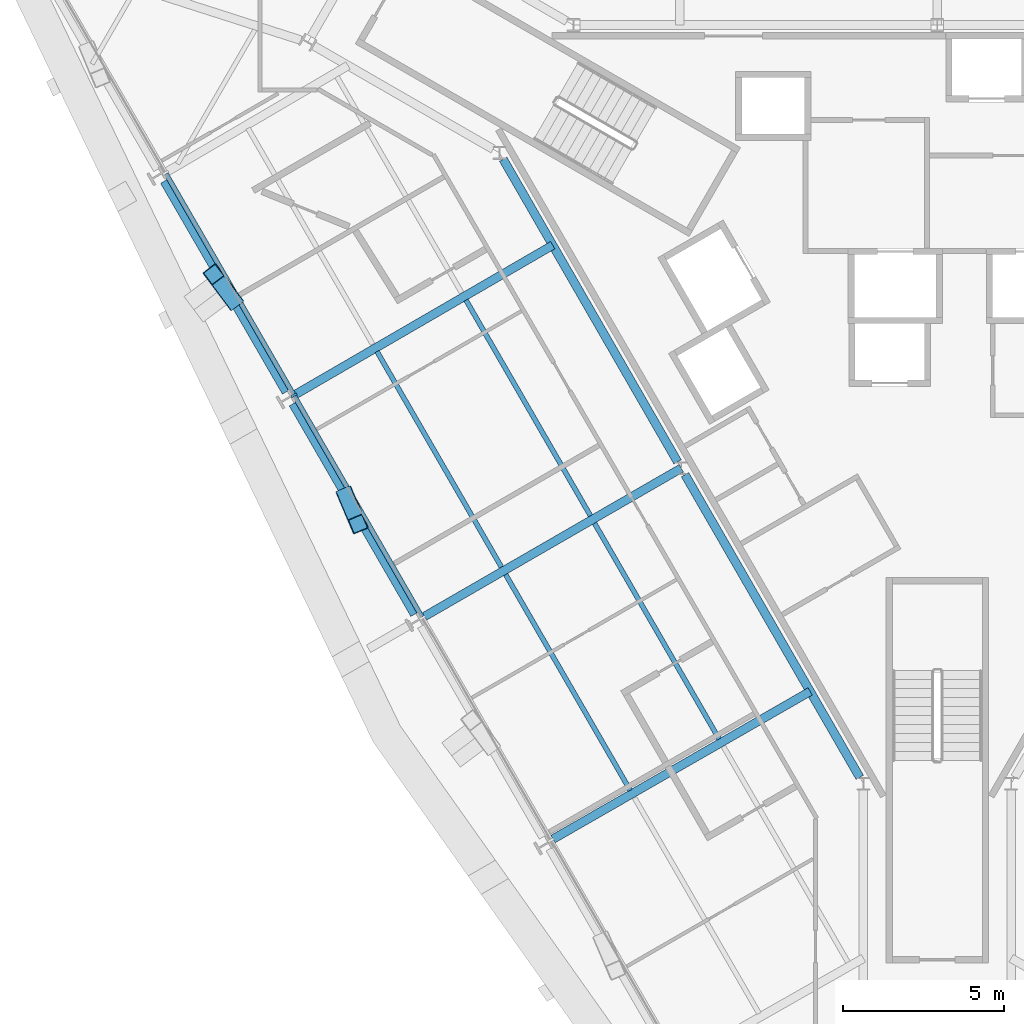
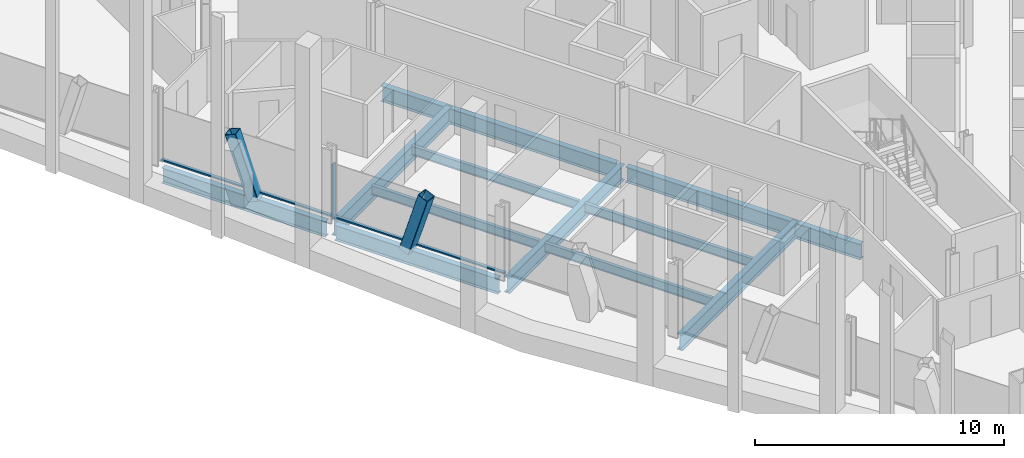
# One storey, part 4 of 16: 11 beams, 5 members, 1 element without a shape of its own.
"""IFC4 building model written with IfcOpenShell, lengths in metres."""

import ifcopenshell
import ifcopenshell.guid

model = None  # the IFC model being written
_history = None  # IfcOwnerHistory: only IFC2X3 demands one
_inside = {}  # id of a spatial element -> (the spatial element, [elements in it])
_under = {}  # id of a project, library or spatial element -> (it, [spatial elements below it])
_declared = {}  # id of a project -> (the project, [libraries it declares])
_typed = {}  # id of a type object -> (the type object, [elements of that type])
_made_of = {}  # id of a material, layer set ... -> (it, [elements and type objects made of it])


def new_model(schema):
    """Start an empty IFC model of exactly this schema.

    Asked for "IFC4X3", IfcOpenShell would pick the latest addendum, in which some entities
    have other attributes; the version numbers below select the first issue.
    IFC2X3 requires an IfcOwnerHistory on every rooted entity: one is made here for all.
    """
    global model, _history
    if schema == "IFC4X3":
        model = ifcopenshell.file(schema_version=(4, 3, 0, 0))
    else:
        model = ifcopenshell.file(schema=schema)
    _inside.clear()
    _under.clear()
    _declared.clear()
    _typed.clear()
    _made_of.clear()
    _history = None
    if model.schema == "IFC2X3":
        org = make("IfcOrganization", Name="unknown")
        user = make(
            "IfcPersonAndOrganization",
            ThePerson=make("IfcPerson", FamilyName="unknown"),
            TheOrganization=org,
        )
        app = make(
            "IfcApplication",
            ApplicationDeveloper=org,
            Version="unknown",
            ApplicationFullName="unknown",
            ApplicationIdentifier="unknown",
        )
        _history = make(
            "IfcOwnerHistory",
            OwningUser=user,
            OwningApplication=app,
            ChangeAction="ADDED",
            CreationDate=0,
        )
    return model


def make(cls, **values):
    """One entity of the class cls with the attributes given. An attribute that is None is left unset."""
    return model.create_entity(
        cls, **{name: value for name, value in values.items() if value is not None}
    )


def rooted(cls, **values):
    """An entity with a GlobalId (a new one), such as an element, a storey or a relation."""
    return make(cls, GlobalId=ifcopenshell.guid.new(), OwnerHistory=_history, **values)


def si_unit(unit_type, name, prefix=None):
    """IfcSIUnit, for example si_unit("LENGTHUNIT", "METRE", prefix="MILLI")."""
    return make("IfcSIUnit", UnitType=unit_type, Prefix=prefix, Name=name)


def assignment(units):
    """IfcUnitAssignment: the units of a project."""
    return None if units is None else make("IfcUnitAssignment", Units=units)


def point(xyz):
    """IfcCartesianPoint."""
    return None if xyz is None else make("IfcCartesianPoint", Coordinates=xyz)


def direction(xyz):
    """IfcDirection."""
    return None if xyz is None else make("IfcDirection", DirectionRatios=xyz)


def frame(location, z_axis=None, x_axis=None):
    """IfcAxis2Placement3D, a coordinate frame: its origin and axes. An axis left out is left unset."""
    return make(
        "IfcAxis2Placement3D",
        Location=point(location),
        Axis=direction(z_axis),
        RefDirection=direction(x_axis),
    )


def frame_2d(location, x_axis=None):
    """IfcAxis2Placement2D, a coordinate frame in the plane: its origin and x axis."""
    return make(
        "IfcAxis2Placement2D", Location=point(location), RefDirection=direction(x_axis)
    )


def origin():
    """The frame at (0, 0, 0) with its axes left unset."""
    return frame((0.0, 0.0, 0.0))


def origin_2d():
    """The frame at (0, 0) in the plane with its x axis left unset."""
    return frame_2d((0.0, 0.0))


def place(relative_to, where):
    """IfcLocalPlacement: puts the frame where relative to a parent placement (None: the world)."""
    return make(
        "IfcLocalPlacement", PlacementRelTo=relative_to, RelativePlacement=where
    )


def context(
    kind, dimensions, precision=None, world=None, true_north=None, identifier=None
):
    """IfcGeometricRepresentationContext, for example the 3D "Model" context."""
    return make(
        "IfcGeometricRepresentationContext",
        ContextIdentifier=identifier,
        ContextType=kind,
        CoordinateSpaceDimension=dimensions,
        Precision=precision,
        WorldCoordinateSystem=world,
        TrueNorth=true_north,
    )


def subcontext(parent, identifier, kind, view, scale=None):
    """IfcGeometricRepresentationSubContext, for example "Body" below "Model"."""
    return make(
        "IfcGeometricRepresentationSubContext",
        ContextIdentifier=identifier,
        ContextType=kind,
        ParentContext=parent,
        TargetScale=scale,
        TargetView=view,
    )


def project(units=None, contexts=None):
    """IfcProject with its units and contexts."""
    return rooted(
        "IfcProject",
        Name="project",
        RepresentationContexts=contexts,
        UnitsInContext=assignment(units),
    )


def spatial(cls, under=None, at=None, **own):
    """A site, building, storey or space (cls), placed at a placement, below another one or the project."""
    s = rooted(cls, ObjectPlacement=at, **own)
    if under is not None:
        _under.setdefault(under.id(), (under, []))[1].append(s)
    return s


def profile(cls, at=None, kind="AREA", **sizes):
    """A parametric profile (cls). Its sizes go by their IFC names, for example OverallWidth=200.0."""
    return make(cls, ProfileType=kind, Position=at, **sizes)


def rectangle(**sizes):
    """IfcRectangleProfileDef."""
    return profile("IfcRectangleProfileDef", **sizes)


def hollow_rectangle(**sizes):
    """IfcRectangleHollowProfileDef."""
    return profile("IfcRectangleHollowProfileDef", **sizes)


def i_section(**sizes):
    """IfcIShapeProfileDef."""
    return profile("IfcIShapeProfileDef", **sizes)


def extrude(swept, where, along, depth):
    """IfcExtrudedAreaSolid: the profile swept, set in the frame where, extruded along a direction by depth."""
    return make(
        "IfcExtrudedAreaSolid",
        SweptArea=swept,
        Position=where,
        ExtrudedDirection=direction(along),
        Depth=depth,
    )


def shape(context_of_items, identifier, shape_type, items):
    """IfcShapeRepresentation: the items that make up one representation, for example the "Body"."""
    return make(
        "IfcShapeRepresentation",
        ContextOfItems=context_of_items,
        RepresentationIdentifier=identifier,
        RepresentationType=shape_type,
        Items=items,
    )


def material(Name=None, Category=None):
    """IfcMaterial."""
    return make("IfcMaterial", Name=Name, Category=Category)


def material_profile(
    of_material, cross_section, Name=None, Category=None, Priority=None
):
    """IfcMaterialProfile: a cross section and its material."""
    return make(
        "IfcMaterialProfile",
        Name=Name,
        Material=of_material,
        Profile=cross_section,
        Priority=Priority,
        Category=Category,
    )


def profile_set(profiles, Name=None, composite=None):
    """IfcMaterialProfileSet."""
    return make(
        "IfcMaterialProfileSet",
        Name=Name,
        MaterialProfiles=profiles,
        CompositeProfile=composite,
    )


def made_of(thing, what):
    """Note that an element or type object is made of a material, layer set ...; save() writes the relation."""
    if what is not None:
        _made_of.setdefault(what.id(), (what, []))[1].append(thing)
    return thing


def type_object(cls, material=None, **own):
    """A type object (cls), such as IfcWallType, which elements share."""
    return made_of(rooted(cls, **own), material)


def element(
    cls,
    number,
    at=None,
    inside=None,
    cuts=None,
    type_object=None,
    material=None,
    context=None,
    identifier="Body",
    shape_type=None,
    held_by="IfcProductDefinitionShape",
    body=None,
    shapes=None,
    **own,
):
    """One element of the class cls, such as IfcWall. Its Tag is "e" and its number.

    at: its placement. inside: the storey or other place that contains it. cuts: it is an
    opening in that element (IfcRelVoidsElement). A single representation is given by context,
    identifier, shape_type and body (its items); several are given by shapes. held_by: the class
    of the entity that holds the representations. save() writes the other relations.
    """
    e = rooted(cls, Tag="e%d" % number, ObjectPlacement=at, **own)
    if body is not None:
        shapes = [shape(context, identifier, shape_type, body)]
    if shapes is not None:
        e.Representation = make(held_by, Representations=shapes)
    if inside is not None:
        _inside.setdefault(inside.id(), (inside, []))[1].append(e)
    if cuts is not None:
        rooted(
            "IfcRelVoidsElement", RelatingBuildingElement=cuts, RelatedOpeningElement=e
        )
    if type_object is not None:
        _typed.setdefault(type_object.id(), (type_object, []))[1].append(e)
    return made_of(e, material)


def aggregate(whole, parts):
    """IfcRelAggregates: a whole, such as a stair, and the parts it consists of."""
    return rooted("IfcRelAggregates", RelatingObject=whole, RelatedObjects=parts)


def save(model, path):
    """Write the relations noted so far, then the file.

    IfcRelAggregates (storeys below a building ...), IfcRelContainedInSpatialStructure (elements
    in a storey), IfcRelDefinesByType, IfcRelAssociatesMaterial and IfcRelDeclares: one each for
    every whole, place, type object, material and project.
    """
    for whole, parts in _under.values():
        aggregate(whole, parts)
    for where, things in _inside.values():
        rooted(
            "IfcRelContainedInSpatialStructure",
            RelatedElements=things,
            RelatingStructure=where,
        )
    for kind, things in _typed.values():
        rooted("IfcRelDefinesByType", RelatedObjects=things, RelatingType=kind)
    for what, things in _made_of.values():
        rooted("IfcRelAssociatesMaterial", RelatedObjects=things, RelatingMaterial=what)
    for by, libraries in _declared.values():
        rooted("IfcRelDeclares", RelatingContext=by, RelatedDefinitions=libraries)
    model.write(path)


model = new_model("IFC4")

# Units and contexts
model_context = context("Model", 3, precision=1e-05, world=origin(), true_north=direction((0.0, 1.0)))
body_context = subcontext(model_context, "Body", "Model", "MODEL_VIEW")
ifc_project = project(units=[si_unit("LENGTHUNIT", "METRE"), si_unit("AREAUNIT", "SQUARE_METRE"), si_unit("VOLUMEUNIT", "CUBIC_METRE"), si_unit("PLANEANGLEUNIT", "RADIAN"), si_unit("MASSUNIT", "GRAM", prefix="KILO")], contexts=[model_context])

# Site, building, storey
site_placement = place(None, origin())
site = spatial("IfcSite", under=ifc_project, at=site_placement, CompositionType="ELEMENT")
building_placement = place(site_placement, origin())
building = spatial("IfcBuilding", under=site, at=building_placement, Name="Verrane Prism Tower", CompositionType="ELEMENT")
storey_placement = place(building_placement, frame((0.0, 0.0, 103.60009765625)))
storey = spatial("IfcBuildingStorey", under=building, at=storey_placement, Name="L24", CompositionType="ELEMENT", Elevation=103.60009765625)

# Beams
ifc_material_1 = material(Name="Steel A992", Category="steel")
ifc_material_profile_1 = material_profile(ifc_material_1, i_section(OverallWidth=0.2666015625, OverallDepth=0.7568359375, WebThickness=0.013916015625, FlangeThickness=0.019287109375, FilletRadius=0.0166015625, at=origin_2d()), Name="W30x108")
ifc_profile_set_1 = profile_set([ifc_material_profile_1], Name="Steel A992")
beam_type_1 = type_object("IfcBeamType", Name="Core ring girder W30x108", PredefinedType="BEAM", material=ifc_profile_set_1)
beam_1_placement = place(storey_placement, frame((-13.51513671875, 5.0205078125, -0.628662109375), z_axis=(0.4993706109, -0.866388476937, 0.0), x_axis=(0.866388476937, 0.4993706109, 0.0)))
element("IfcBeam", 1, at=beam_1_placement, inside=storey, type_object=beam_type_1, Name="Core ring girder L24", PredefinedType="BEAM", context=body_context, shape_type="SweptSolid", body=[
    extrude(i_section(OverallWidth=0.2666015625, OverallDepth=0.7568359375, WebThickness=0.013916015625, FlangeThickness=0.019287109375, FilletRadius=0.0166015625, at=origin_2d()), origin(), (0.0, 0.0, 1.0), 10.8740234375),
])
beam_2_placement = place(storey_placement, frame((-7.85498046875, -4.79931640625, -0.628662109375), z_axis=(0.500034555306, -0.86600545235, 0.0), x_axis=(0.86600545235, 0.500034555306, 0.0)))
element("IfcBeam", 2, at=beam_2_placement, inside=storey, type_object=beam_type_1, Name="Core ring girder L24", PredefinedType="BEAM", context=body_context, shape_type="SweptSolid", body=[
    extrude(i_section(OverallWidth=0.2666015625, OverallDepth=0.7568359375, WebThickness=0.013916015625, FlangeThickness=0.019287109375, FilletRadius=0.0166015625, at=origin_2d()), origin(), (0.0, 0.0, 1.0), 10.879150390625),
])

# Members
ifc_material_2 = material(Name="Steel A1085 Grade A", Category="steel")
ifc_material_profile_2 = material_profile(ifc_material_2, hollow_rectangle(XDim=0.508056640625, YDim=0.508056640625, WallThickness=0.025390625, InnerFilletRadius=0.0126953125, OuterFilletRadius=0.0380859375, at=origin_2d()), Name="HSS20x20x1")
ifc_profile_set_2 = profile_set([ifc_material_profile_2], Name="Steel A1085 Grade A")
member_type_1 = type_object("IfcMemberType", Name="Facade brace HSS20x20x1", PredefinedType="BRACE", material=ifc_profile_set_2)
member_1_placement = place(storey_placement, frame((-21.931884765625, 0.644287109375, -0.24267578125), z_axis=(-0.188370317735, 0.250415369199, 0.949636123084), x_axis=(-0.799143224573, -0.60114067124, 0.0)))
element("IfcMember", 3, at=member_1_placement, inside=storey, type_object=member_type_1, Name="Facade brace SW1 L24", PredefinedType="BRACE", context=body_context, shape_type="SweptSolid", body=[
    extrude(hollow_rectangle(XDim=0.508056640625, YDim=0.508056640625, WallThickness=0.025390625, InnerFilletRadius=0.0126953125, OuterFilletRadius=0.0380859375, at=origin_2d()), origin(), (0.0, 0.0, 1.0), 3.16748046875),
])
member_2_placement = place(storey_placement, frame((-18.406494140625, -5.456298828125, -0.24267578125), z_axis=(0.117670162802, -0.27850926107, 0.953197946013), x_axis=(0.921157844706, 0.389189189388, 0.0)))
element("IfcMember", 4, at=member_2_placement, inside=storey, type_object=member_type_1, Name="Facade brace SW2 L24", PredefinedType="BRACE", context=body_context, shape_type="SweptSolid", body=[
    extrude(hollow_rectangle(XDim=0.508056640625, YDim=0.508056640625, WallThickness=0.025390625, InnerFilletRadius=0.0126953125, OuterFilletRadius=0.0380859375, at=origin_2d()), origin(), (0.0, 0.0, 1.0), 3.15576171875),
])

# Beams
ifc_material_3 = material(Name="Steel A992", Category="steel")
ifc_material_profile_3 = material_profile(ifc_material_3, i_section(OverallWidth=0.15234375, OverallDepth=0.449462890625, WebThickness=0.007568359375, FlangeThickness=0.0107421875, FilletRadius=0.01025390625, at=origin_2d()), Name="W18x35")
ifc_profile_set_3 = profile_set([ifc_material_profile_3], Name="Steel A992")
beam_type_2 = type_object("IfcBeamType", Name="Floor beam W18x35", PredefinedType="BEAM", material=ifc_profile_set_3)
beam_3_placement = place(storey_placement, frame((-10.7978515625, -6.077880859375, -0.385009765625), z_axis=(-0.499984211786, 0.866034518922, 0.0), x_axis=(-0.866034518922, -0.499984211786, 0.0)))
element("IfcBeam", 5, at=beam_3_placement, inside=storey, type_object=beam_type_2, Name="Floor beam L24", PredefinedType="BEAM", context=body_context, shape_type="SweptSolid", body=[
    extrude(i_section(OverallWidth=0.15234375, OverallDepth=0.449462890625, WebThickness=0.007568359375, FlangeThickness=0.0107421875, FilletRadius=0.01025390625, at=origin_2d()), origin(), (0.0, 0.0, 1.0), 7.750732421875),
])
beam_4_placement = place(storey_placement, frame((-13.568603515625, -7.6767578125, -0.385009765625), z_axis=(-0.499981532947, 0.86603606548, 0.0), x_axis=(-0.86603606548, -0.499981532947, 0.0)))
element("IfcBeam", 6, at=beam_4_placement, inside=storey, type_object=beam_type_2, Name="Floor beam L24", PredefinedType="BEAM", context=body_context, shape_type="SweptSolid", body=[
    extrude(i_section(OverallWidth=0.15234375, OverallDepth=0.449462890625, WebThickness=0.007568359375, FlangeThickness=0.0107421875, FilletRadius=0.01025390625, at=origin_2d()), origin(), (0.0, 0.0, 1.0), 7.749267578125),
])
for number, where, z_axis, x_axis, name in (
    (7, (-6.7919921875, -13.0302734375, -0.385009765625), (-0.500028499731, 0.866008948832, 0.0), (-0.866008948832, -0.500028499731, 0.0), "Floor beam L24"),
    (8, (-9.559326171875, -14.627197265625, -0.385009765625), (-0.500028499731, 0.866008948832, 0.0), (-0.866008948832, -0.500028499731, 0.0), "Floor beam L24"),
):
    element("IfcBeam", number, at=place(storey_placement, frame(where, z_axis=z_axis, x_axis=x_axis)), inside=storey, type_object=beam_type_2, Name=name, PredefinedType="BEAM", context=body_context, shape_type="SweptSolid", body=[
        extrude(i_section(OverallWidth=0.15234375, OverallDepth=0.449462890625, WebThickness=0.007568359375, FlangeThickness=0.0107421875, FilletRadius=0.01025390625, at=origin_2d()), origin(), (0.0, 0.0, 1.0), 7.7568359375),
    ])

# Curtain wall, member
ifc_material_4 = material(Name="Aluminium framed insulated glazing", Category="aluminium")
curtain_wall_type = type_object("IfcCurtainWallType", Name="Curtain wall CW-A 8400 module", PredefinedType="NOTDEFINED", material=ifc_material_4)
curtain_wall_placement = place(storey_placement, origin())
curtain_wall = element("IfcCurtainWall", 9, at=curtain_wall_placement, inside=storey, type_object=curtain_wall_type, Name="Glazed curtain wall south-west face L24", PredefinedType="NOTDEFINED")
ifc_material_5 = material(Name="Aluminium alloy 6063-T6", Category="aluminium")
ifc_material_profile_4 = material_profile(ifc_material_5, rectangle(XDim=0.199951171875, YDim=0.070068359375, at=origin_2d()), Name="Mullion 70x200 aluminium")
ifc_profile_set_4 = profile_set([ifc_material_profile_4], Name="Aluminium alloy 6063-T6")
member_type_2 = type_object("IfcMemberType", Name="Mullion 70x200 aluminium", PredefinedType="MULLION", material=ifc_profile_set_4)
member_3_placement = place(storey_placement, frame((-20.030029296875, -2.3291015625, 0.0), z_axis=(0.0, 0.0, 1.0), x_axis=(0.866025402318, 0.500000002539, 0.0)))
member_3 = element("IfcMember", 10, at=member_3_placement, type_object=member_type_2, Name="CW24.4 mullion 3", PredefinedType="MULLION", context=body_context, shape_type="SweptSolid", body=[
    extrude(rectangle(XDim=0.199951171875, YDim=0.070068359375, at=origin_2d()), origin(), (0.0, 0.0, 1.0), 2.61279296875),
])

# Beams
ifc_material_6 = material(Name="Steel A992", Category="steel")
ifc_material_profile_5 = material_profile(ifc_material_6, i_section(OverallWidth=0.2666015625, OverallDepth=0.76708984375, WebThickness=0.014892578125, FlangeThickness=0.023681640625, FilletRadius=0.0166015625, at=origin_2d()), Name="W30x124")
ifc_profile_set_5 = profile_set([ifc_material_profile_5], Name="Steel A992")
beam_type_3 = type_object("IfcBeamType", Name="Radial girder W30x124", PredefinedType="BEAM", material=ifc_profile_set_5)
beam_5_placement = place(storey_placement, frame((-19.961181640625, -2.2900390625, -0.603515625), z_axis=(0.864898533313, 0.501946737287, 0.0), x_axis=(-0.501946737287, 0.864898533313, 0.0)))
element("IfcBeam", 11, at=beam_5_placement, inside=storey, type_object=beam_type_3, Name="Radial girder L24", PredefinedType="BEAM", context=body_context, shape_type="SweptSolid", body=[
    extrude(i_section(OverallWidth=0.2666015625, OverallDepth=0.76708984375, WebThickness=0.014892578125, FlangeThickness=0.023681640625, FilletRadius=0.0166015625, at=origin_2d()), origin(), (0.0, 0.0, 1.0), 9.235595703125),
])
beam_6_placement = place(storey_placement, frame((-15.962646484375, -9.2119140625, -0.603515625), z_axis=(0.866048128844, 0.499960636976, 0.0), x_axis=(-0.499960636976, 0.866048128844, 0.0)))
element("IfcBeam", 12, at=beam_6_placement, inside=storey, type_object=beam_type_3, Name="Radial girder L24", PredefinedType="BEAM", context=body_context, shape_type="SweptSolid", body=[
    extrude(i_section(OverallWidth=0.2666015625, OverallDepth=0.76708984375, WebThickness=0.014892578125, FlangeThickness=0.023681640625, FilletRadius=0.0166015625, at=origin_2d()), origin(), (0.0, 0.0, 1.0), 9.227783203125),
])
beam_7_placement = place(storey_placement, frame((-11.962646484375, -16.143798828125, -0.603515625), z_axis=(0.86716679256, 0.498017824863, 0.0), x_axis=(-0.498017824863, 0.86716679256, 0.0)))
element("IfcBeam", 13, at=beam_7_placement, inside=storey, type_object=beam_type_3, Name="Radial girder L24", PredefinedType="BEAM", context=body_context, shape_type="SweptSolid", body=[
    extrude(i_section(OverallWidth=0.2666015625, OverallDepth=0.76708984375, WebThickness=0.014892578125, FlangeThickness=0.023681640625, FilletRadius=0.0166015625, at=origin_2d()), origin(), (0.0, 0.0, 1.0), 9.22998046875),
])
ifc_material_7 = material(Name="Steel A992", Category="steel")
ifc_material_profile_6 = material_profile(ifc_material_7, i_section(OverallWidth=0.2666015625, OverallDepth=0.7568359375, WebThickness=0.013916015625, FlangeThickness=0.019287109375, FilletRadius=0.0166015625, at=origin_2d()), Name="W30x108")
ifc_profile_set_6 = profile_set([ifc_material_profile_6], Name="Steel A992")
beam_type_4 = type_object("IfcBeamType", Name="Spandrel beam W30x108", PredefinedType="SPANDREL", material=ifc_profile_set_6)
beam_8_placement = place(storey_placement, frame((-24.066650390625, 4.336669921875, -0.53857421875), z_axis=(0.500516905118, -0.865726762721, 0.0), x_axis=(0.865726762721, 0.500516905118, 0.0)))
element("IfcBeam", 14, at=beam_8_placement, inside=storey, type_object=beam_type_4, Name="Spandrel beam L24", PredefinedType="SPANDREL", context=body_context, shape_type="SweptSolid", body=[
    extrude(i_section(OverallWidth=0.2666015625, OverallDepth=0.7568359375, WebThickness=0.013916015625, FlangeThickness=0.019287109375, FilletRadius=0.0166015625, at=origin_2d()), origin(), (0.0, 0.0, 1.0), 7.580078125),
])
beam_9_placement = place(storey_placement, frame((-20.060302734375, -2.593017578125, -0.53857421875), z_axis=(0.500194298326, -0.865913196528, 0.0), x_axis=(0.865913196528, 0.500194298326, 0.0)))
element("IfcBeam", 15, at=beam_9_placement, inside=storey, type_object=beam_type_4, Name="Spandrel beam L24", PredefinedType="SPANDREL", context=body_context, shape_type="SweptSolid", body=[
    extrude(i_section(OverallWidth=0.2666015625, OverallDepth=0.7568359375, WebThickness=0.013916015625, FlangeThickness=0.019287109375, FilletRadius=0.0166015625, at=origin_2d()), origin(), (0.0, 0.0, 1.0), 7.56884765625),
])

# Member
ifc_material_8 = material(Name="Aluminium alloy 6063-T6", Category="aluminium")
ifc_material_profile_7 = material_profile(ifc_material_8, rectangle(XDim=0.14990234375, YDim=0.070068359375, at=origin_2d()), Name="Transom 70x150 aluminium")
ifc_profile_set_7 = profile_set([ifc_material_profile_7], Name="Aluminium alloy 6063-T6")
member_type_3 = type_object("IfcMemberType", Name="Transom 70x150 aluminium", PredefinedType="USERDEFINED", material=ifc_profile_set_7)
member_4_placement = place(storey_placement, frame((-24.011474609375, 4.567138671875, 0.034912109375), z_axis=(0.50001745439, -0.866015326253, 0.0), x_axis=(0.866015326253, 0.50001745439, 0.0)))
member_4 = element("IfcMember", 16, at=member_4_placement, type_object=member_type_3, Name="CW24.4 transom 2", ObjectType="TRANSOM", PredefinedType="USERDEFINED", context=body_context, shape_type="SweptSolid", body=[
    extrude(rectangle(XDim=0.14990234375, YDim=0.070068359375, at=origin_2d()), origin(), (0.0, 0.0, 1.0), 7.927978515625),
])

member_5_placement = place(storey_placement, frame((-20.012451171875, -2.359375, 0.034912109375), z_axis=(0.50001745439, -0.866015326253, 0.0), x_axis=(0.866015326253, 0.50001745439, 0.0)))
member_5 = element("IfcMember", 17, at=member_5_placement, type_object=member_type_3, Name="CW24.4 transom 3", ObjectType="TRANSOM", PredefinedType="USERDEFINED", context=body_context, shape_type="SweptSolid", body=[
    extrude(rectangle(XDim=0.14990234375, YDim=0.070068359375, at=origin_2d()), origin(), (0.0, 0.0, 1.0), 7.927978515625),
])

aggregate(curtain_wall, [member_3, member_4, member_5])

save(model, "model.ifc")
